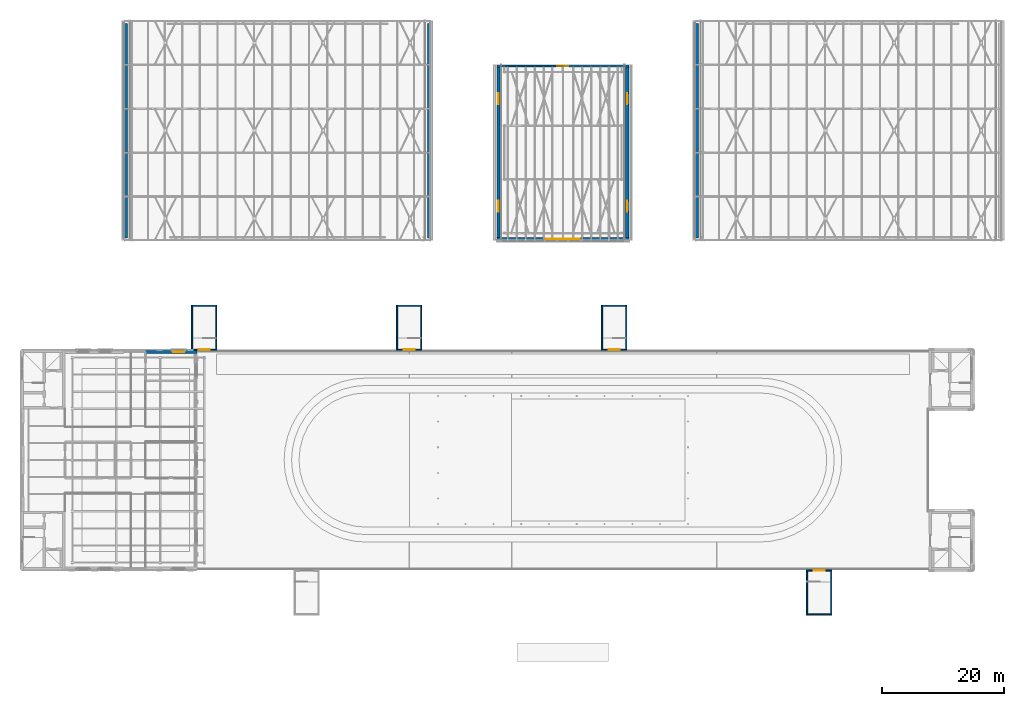
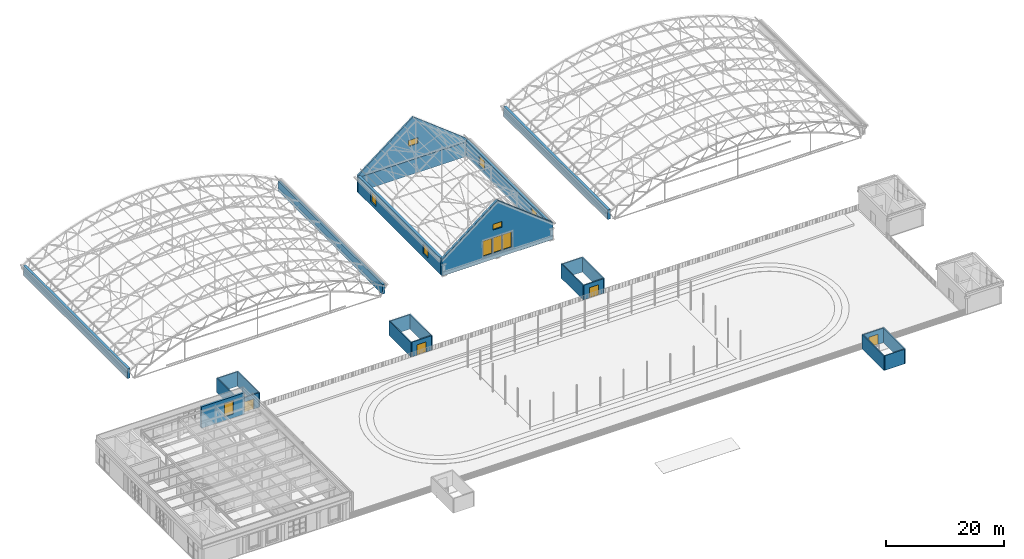
# One storey, part 73 of 127: 25 walls, 10 windows, 4 doors, 14 openings.
"""IFC4 building model written with IfcOpenShell, lengths in metres."""

from ifc_helpers import new_model, si_unit, direction, frame, frame_2d, origin, place, context, subcontext, project, spatial, polyline, rectangle, outline, extrude, material, layer, layer_set, type_object, element, fill, save


model = new_model("IFC4")

# Units and contexts
model_context = context("Model", 3, precision=1e-05, world=origin(), true_north=direction((0.0, 1.0)))
body_context = subcontext(model_context, "Body", "Model", "MODEL_VIEW")
ifc_project = project(units=[si_unit("LENGTHUNIT", "METRE"), si_unit("AREAUNIT", "SQUARE_METRE"), si_unit("VOLUMEUNIT", "CUBIC_METRE"), si_unit("PLANEANGLEUNIT", "RADIAN"), si_unit("MASSUNIT", "GRAM", prefix="KILO")], contexts=[model_context])

# Site, building, storey
site_placement = place(None, origin())
site = spatial("IfcSite", under=ifc_project, at=site_placement, CompositionType="ELEMENT")
building_placement = place(site_placement, origin())
building = spatial("IfcBuilding", under=site, at=building_placement, Name="Verrick Yard Athletic Hall", CompositionType="ELEMENT")
storey_placement = place(building_placement, frame((0.0, 0.0, 14.0)))
storey = spatial("IfcBuildingStorey", under=building, at=storey_placement, Name="L03", CompositionType="ELEMENT", Elevation=14.0)

# Wall, opening, window
ifc_material_1 = material(Name="Concrete 35 MPa", Category="concrete")
ifc_layer_1 = layer(ifc_material_1, 0.300048828125)
ifc_layer_set_1 = layer_set([ifc_layer_1], Name="Climbing hall gable wall")
wall_type_1 = type_object("IfcWallType", Name="Climbing hall gable wall", PredefinedType="SOLIDWALL", material=ifc_layer_set_1)
wall_1_placement = place(storey_placement, frame((88.0, 100.60009765625, 3.0), z_axis=(0.0, 0.0, 1.0), x_axis=(1.0, 0.0, 0.0)))
wall_1 = element("IfcWall", 1, at=wall_1_placement, inside=storey, type_object=wall_type_1, Name="ENVB-CL-N-L03", PredefinedType="SOLIDWALL", context=body_context, shape_type="SweptSolid", body=[
    extrude(outline(polyline([(0.0, 0.0), (21.60009765625, 0.0), (21.60009765625, 0.405029296875), (10.800048828125, 8.804931640625), (0.0, 0.405029296875), (0.0, 0.0)])), frame((0.0, 0.14990234375, 0.0), z_axis=(0.0, -1.0, 0.0), x_axis=(1.0, 0.0, 0.0)), (0.0, 0.0, 1.0), 0.300048828125),
])
opening_1_placement = place(wall_1_placement, frame((9.89990234375, 0.0, 3.0)))
opening_1 = element("IfcOpeningElement", 2, at=opening_1_placement, cuts=wall_1, Name="Opening W29", PredefinedType="OPENING", context=body_context, shape_type="SweptSolid", body=[
    extrude(rectangle(XDim=1.800048828125, YDim=1.199951171875, at=frame_2d((0.89990234375, 0.60009765625))), frame((0.0, 0.16015625, 0.0), z_axis=(0.0, -1.0, 0.0), x_axis=(1.0, 0.0, 0.0)), (0.0, 0.0, 1.0), 0.320068359375),
])
ifc_material_2 = material(Name="Anodised aluminium frame with insulated glazing", Category="aluminium")
window_type_1 = type_object("IfcWindowType", Name="Pediment window 1800x1200", PartitioningType="NOTDEFINED", PredefinedType="WINDOW", material=ifc_material_2)
window_1_placement = place(opening_1_placement, origin())
window_1 = element("IfcWindow", 3, at=window_1_placement, inside=storey, type_object=window_type_1, Name="ENVB-CL-N-L03-W1", OverallHeight=1.199951171875, OverallWidth=1.800048828125, PartitioningType="SINGLE_PANEL", PredefinedType="WINDOW", context=body_context, shape_type="SweptSolid", body=[
    extrude(rectangle(XDim=1.800048828125, YDim=1.199951171875, at=frame_2d((0.89990234375, 0.60009765625))), frame((0.0, 0.030029296875, 0.0), z_axis=(0.0, -1.0, 0.0), x_axis=(1.0, 0.0, 0.0)), (0.0, 0.0, 1.0), 0.06005859375),
])
fill(opening_1, window_1)

# Walls
ifc_layer_2 = layer(ifc_material_1, 0.199951171875)
ifc_layer_set_2 = layer_set([ifc_layer_2], Name="External enclosure wall CR200")
wall_type_2 = type_object("IfcWallType", Name="External enclosure wall CR200", PredefinedType="SOLIDWALL", material=ifc_layer_set_2)
for number, where, z_axis, x_axis, name in (
    (4, (38.0, 54.0, 0.0), (0.0, 0.0, 1.0), (0.0, 1.0, 0.0), "CORE-DT-N1-WW-L03"),
    (5, (42.0, 61.39990234375, 0.0), (0.0, 0.0, 1.0), (0.0, -1.0, 0.0), "CORE-DT-N1-WE-L03"),
):
    element("IfcWall", number, at=place(storey_placement, frame(where, z_axis=z_axis, x_axis=x_axis)), inside=storey, type_object=wall_type_2, Name=name, PredefinedType="SOLIDWALL", context=body_context, shape_type="SweptSolid", body=[
        extrude(rectangle(XDim=7.39990234375, YDim=0.199951171875, at=frame_2d((3.699951171875, 0.0))), origin(), (0.0, 0.0, 1.0), 3.0),
    ])

# Wall, opening, door
wall_2_placement = place(storey_placement, frame((38.10009765625, 54.10009765625, 0.0), z_axis=(0.0, 0.0, 1.0), x_axis=(1.0, 0.0, 0.0)))
wall_2 = element("IfcWall", 6, at=wall_2_placement, inside=storey, type_object=wall_type_2, Name="CORE-DT-N1-WS-L03", PredefinedType="SOLIDWALL", context=body_context, shape_type="SweptSolid", body=[
    extrude(rectangle(XDim=3.7998046875, YDim=0.199951171875, at=frame_2d((1.89990234375, 0.0))), origin(), (0.0, 0.0, 1.0), 3.0),
])
opening_2_placement = place(wall_2_placement, frame((1.0, 0.0, 0.0)))
opening_2 = element("IfcOpeningElement", 7, at=opening_2_placement, cuts=wall_2, Name="Opening XD2", PredefinedType="OPENING", context=body_context, shape_type="SweptSolid", body=[
    extrude(rectangle(XDim=1.800048828125, YDim=2.10009765625, at=frame_2d((0.89990234375, 1.050048828125))), frame((0.0, 0.10986328125, 0.0), z_axis=(0.0, -1.0, 0.0), x_axis=(1.0, 0.0, 0.0)), (0.0, 0.0, 1.0), 0.219970703125),
])
ifc_material_3 = material(Name="Aluminium door leaf", Category="aluminium")
door_type = type_object("IfcDoorType", Name="Core door XD2 1800x2100", OperationType="NOTDEFINED", PredefinedType="DOOR", material=ifc_material_3)
door_1_placement = place(opening_2_placement, origin())
door_1 = element("IfcDoor", 8, at=door_1_placement, inside=storey, type_object=door_type, Name="CORE-DT-N1-WS-L03-DXD2-4000", OperationType="DOUBLE_DOOR_SINGLE_SWING", OverallHeight=2.10009765625, OverallWidth=1.800048828125, PredefinedType="DOOR", context=body_context, shape_type="SweptSolid", body=[
    extrude(rectangle(XDim=1.800048828125, YDim=2.10009765625, at=frame_2d((0.89990234375, 1.050048828125))), frame((0.0, 0.02490234375, 0.0), z_axis=(0.0, -1.0, 0.0), x_axis=(1.0, 0.0, 0.0)), (0.0, 0.0, 1.0), 0.050048828125),
])
fill(opening_2, door_1)

# Walls
wall_3_placement = place(storey_placement, frame((38.10009765625, 61.300048828125, 0.0), z_axis=(0.0, 0.0, 1.0), x_axis=(1.0, 0.0, 0.0)))
element("IfcWall", 9, at=wall_3_placement, inside=storey, type_object=wall_type_2, Name="CORE-DT-N1-WN-L03", PredefinedType="SOLIDWALL", context=body_context, shape_type="SweptSolid", body=[
    extrude(rectangle(XDim=3.7998046875, YDim=0.199951171875, at=frame_2d((1.89990234375, 0.0))), origin(), (0.0, 0.0, 1.0), 3.0),
])
for number, where, z_axis, x_axis, name in (
    (10, (105.199951171875, 54.0, 0.0), (0.0, 0.0, 1.0), (0.0, 1.0, 0.0), "CORE-DT-N2-WW-L03"),
    (11, (109.199951171875, 61.39990234375, 0.0), (0.0, 0.0, 1.0), (0.0, -1.0, 0.0), "CORE-DT-N2-WE-L03"),
):
    element("IfcWall", number, at=place(storey_placement, frame(where, z_axis=z_axis, x_axis=x_axis)), inside=storey, type_object=wall_type_2, Name=name, PredefinedType="SOLIDWALL", context=body_context, shape_type="SweptSolid", body=[
        extrude(rectangle(XDim=7.39990234375, YDim=0.199951171875, at=frame_2d((3.699951171875, 0.0))), origin(), (0.0, 0.0, 1.0), 3.0),
    ])

# Wall, opening, door
wall_4_placement = place(storey_placement, frame((105.300048828125, 54.10009765625, 0.0), z_axis=(0.0, 0.0, 1.0), x_axis=(1.0, 0.0, 0.0)))
wall_4 = element("IfcWall", 12, at=wall_4_placement, inside=storey, type_object=wall_type_2, Name="CORE-DT-N2-WS-L03", PredefinedType="SOLIDWALL", context=body_context, shape_type="SweptSolid", body=[
    extrude(rectangle(XDim=3.800048828125, YDim=0.199951171875, at=frame_2d((1.89990234375, 0.0))), origin(), (0.0, 0.0, 1.0), 3.0),
])
opening_3_placement = place(wall_4_placement, frame((1.0, 0.0, 0.0)))
opening_3 = element("IfcOpeningElement", 13, at=opening_3_placement, cuts=wall_4, Name="Opening XD2", PredefinedType="OPENING", context=body_context, shape_type="SweptSolid", body=[
    extrude(rectangle(XDim=1.800048828125, YDim=2.10009765625, at=frame_2d((0.89990234375, 1.050048828125))), frame((0.0, 0.10986328125, 0.0), z_axis=(0.0, -1.0, 0.0), x_axis=(1.0, 0.0, 0.0)), (0.0, 0.0, 1.0), 0.219970703125),
])
door_2_placement = place(opening_3_placement, origin())
door_2 = element("IfcDoor", 14, at=door_2_placement, inside=storey, type_object=door_type, Name="CORE-DT-N2-WS-L03-DXD2-10720", OperationType="DOUBLE_DOOR_SINGLE_SWING", OverallHeight=2.10009765625, OverallWidth=1.800048828125, PredefinedType="DOOR", context=body_context, shape_type="SweptSolid", body=[
    extrude(rectangle(XDim=1.800048828125, YDim=2.10009765625, at=frame_2d((0.89990234375, 1.050048828125))), frame((0.0, 0.02490234375, 0.0), z_axis=(0.0, -1.0, 0.0), x_axis=(1.0, 0.0, 0.0)), (0.0, 0.0, 1.0), 0.050048828125),
])
fill(opening_3, door_2)

# Walls
wall_5_placement = place(storey_placement, frame((105.300048828125, 61.300048828125, 0.0), z_axis=(0.0, 0.0, 1.0), x_axis=(1.0, 0.0, 0.0)))
element("IfcWall", 15, at=wall_5_placement, inside=storey, type_object=wall_type_2, Name="CORE-DT-N2-WN-L03", PredefinedType="SOLIDWALL", context=body_context, shape_type="SweptSolid", body=[
    extrude(rectangle(XDim=3.800048828125, YDim=0.199951171875, at=frame_2d((1.89990234375, 0.0))), origin(), (0.0, 0.0, 1.0), 3.0),
])
for number, where, z_axis, x_axis, name in (
    (16, (71.60009765625, 54.0, 0.0), (0.0, 0.0, 1.0), (0.0, 1.0, 0.0), "CORE-DT-N3-WW-L03"),
    (17, (75.60009765625, 61.39990234375, 0.0), (0.0, 0.0, 1.0), (0.0, -1.0, 0.0), "CORE-DT-N3-WE-L03"),
):
    element("IfcWall", number, at=place(storey_placement, frame(where, z_axis=z_axis, x_axis=x_axis)), inside=storey, type_object=wall_type_2, Name=name, PredefinedType="SOLIDWALL", context=body_context, shape_type="SweptSolid", body=[
        extrude(rectangle(XDim=7.39990234375, YDim=0.199951171875, at=frame_2d((3.699951171875, 0.0))), origin(), (0.0, 0.0, 1.0), 3.0),
    ])

# Wall, opening, door
wall_6_placement = place(storey_placement, frame((71.699951171875, 54.10009765625, 0.0), z_axis=(0.0, 0.0, 1.0), x_axis=(1.0, 0.0, 0.0)))
wall_6 = element("IfcWall", 18, at=wall_6_placement, inside=storey, type_object=wall_type_2, Name="CORE-DT-N3-WS-L03", PredefinedType="SOLIDWALL", context=body_context, shape_type="SweptSolid", body=[
    extrude(rectangle(XDim=3.800048828125, YDim=0.199951171875, at=frame_2d((1.89990234375, 0.0))), origin(), (0.0, 0.0, 1.0), 3.0),
])
opening_4_placement = place(wall_6_placement, frame((1.0, 0.0, 0.0)))
opening_4 = element("IfcOpeningElement", 19, at=opening_4_placement, cuts=wall_6, Name="Opening XD2", PredefinedType="OPENING", context=body_context, shape_type="SweptSolid", body=[
    extrude(rectangle(XDim=1.800048828125, YDim=2.10009765625, at=frame_2d((0.89990234375, 1.050048828125))), frame((0.0, 0.10986328125, 0.0), z_axis=(0.0, -1.0, 0.0), x_axis=(1.0, 0.0, 0.0)), (0.0, 0.0, 1.0), 0.219970703125),
])
door_3_placement = place(opening_4_placement, origin())
door_3 = element("IfcDoor", 20, at=door_3_placement, inside=storey, type_object=door_type, Name="CORE-DT-N3-WS-L03-DXD2-7360", OperationType="DOUBLE_DOOR_SINGLE_SWING", OverallHeight=2.10009765625, OverallWidth=1.800048828125, PredefinedType="DOOR", context=body_context, shape_type="SweptSolid", body=[
    extrude(rectangle(XDim=1.800048828125, YDim=2.10009765625, at=frame_2d((0.89990234375, 1.050048828125))), frame((0.0, 0.02490234375, 0.0), z_axis=(0.0, -1.0, 0.0), x_axis=(1.0, 0.0, 0.0)), (0.0, 0.0, 1.0), 0.050048828125),
])
fill(opening_4, door_3)

# Walls
wall_7_placement = place(storey_placement, frame((71.699951171875, 61.300048828125, 0.0), z_axis=(0.0, 0.0, 1.0), x_axis=(1.0, 0.0, 0.0)))
element("IfcWall", 21, at=wall_7_placement, inside=storey, type_object=wall_type_2, Name="CORE-DT-N3-WN-L03", PredefinedType="SOLIDWALL", context=body_context, shape_type="SweptSolid", body=[
    extrude(rectangle(XDim=3.800048828125, YDim=0.199951171875, at=frame_2d((1.89990234375, 0.0))), origin(), (0.0, 0.0, 1.0), 3.0),
])
for number, where, z_axis, x_axis, name in (
    (22, (138.800048828125, 10.60009765625, 0.0), (0.0, 0.0, 1.0), (0.0, 1.0, 0.0), "CORE-DT-S2-WW-L03"),
    (23, (142.800048828125, 18.0, 0.0), (0.0, 0.0, 1.0), (0.0, -1.0, 0.0), "CORE-DT-S2-WE-L03"),
):
    element("IfcWall", number, at=place(storey_placement, frame(where, z_axis=z_axis, x_axis=x_axis)), inside=storey, type_object=wall_type_2, Name=name, PredefinedType="SOLIDWALL", context=body_context, shape_type="SweptSolid", body=[
        extrude(rectangle(XDim=7.39990234375, YDim=0.199951171875, at=frame_2d((3.699951171875, 0.0))), origin(), (0.0, 0.0, 1.0), 3.0),
    ])
wall_8_placement = place(storey_placement, frame((138.89990234375, 10.699951171875, 0.0), z_axis=(0.0, 0.0, 1.0), x_axis=(1.0, 0.0, 0.0)))
element("IfcWall", 24, at=wall_8_placement, inside=storey, type_object=wall_type_2, Name="CORE-DT-S2-WS-L03", PredefinedType="SOLIDWALL", context=body_context, shape_type="SweptSolid", body=[
    extrude(rectangle(XDim=3.800048828125, YDim=0.199951171875, at=frame_2d((1.89990234375, 0.0))), origin(), (0.0, 0.0, 1.0), 3.0),
])

# Wall, opening, door
wall_9_placement = place(storey_placement, frame((138.89990234375, 17.89990234375, 0.0), z_axis=(0.0, 0.0, 1.0), x_axis=(1.0, 0.0, 0.0)))
wall_9 = element("IfcWall", 25, at=wall_9_placement, inside=storey, type_object=wall_type_2, Name="CORE-DT-S2-WN-L03", PredefinedType="SOLIDWALL", context=body_context, shape_type="SweptSolid", body=[
    extrude(rectangle(XDim=3.800048828125, YDim=0.199951171875, at=frame_2d((1.89990234375, 0.0))), origin(), (0.0, 0.0, 1.0), 3.0),
])
opening_5_placement = place(wall_9_placement, frame((1.0, 0.0, 0.0)))
opening_5 = element("IfcOpeningElement", 26, at=opening_5_placement, cuts=wall_9, Name="Opening XD2", PredefinedType="OPENING", context=body_context, shape_type="SweptSolid", body=[
    extrude(rectangle(XDim=1.800048828125, YDim=2.10009765625, at=frame_2d((0.89990234375, 1.050048828125))), frame((0.0, 0.10986328125, 0.0), z_axis=(0.0, -1.0, 0.0), x_axis=(1.0, 0.0, 0.0)), (0.0, 0.0, 1.0), 0.219970703125),
])
door_4_placement = place(opening_5_placement, origin())
door_4 = element("IfcDoor", 27, at=door_4_placement, inside=storey, type_object=door_type, Name="CORE-DT-S2-WN-L03-DXD2-14080", OperationType="DOUBLE_DOOR_SINGLE_SWING", OverallHeight=2.10009765625, OverallWidth=1.800048828125, PredefinedType="DOOR", context=body_context, shape_type="SweptSolid", body=[
    extrude(rectangle(XDim=1.800048828125, YDim=2.10009765625, at=frame_2d((0.89990234375, 1.050048828125))), frame((0.0, 0.02490234375, 0.0), z_axis=(0.0, -1.0, 0.0), x_axis=(1.0, 0.0, 0.0)), (0.0, 0.0, 1.0), 0.050048828125),
])
fill(opening_5, door_4)

# Walls
ifc_layer_3 = layer(ifc_material_1, 0.300048828125)
ifc_layer_set_3 = layer_set([ifc_layer_3], Name="HB climbing wall 300")
wall_type_3 = type_object("IfcWallType", Name="HB climbing wall 300", PredefinedType="SOLIDWALL", material=ifc_layer_set_3)
wall_10_placement = place(storey_placement, frame((88.0, 100.60009765625, 0.0), z_axis=(0.0, 0.0, 1.0), x_axis=(1.0, 0.0, 0.0)))
element("IfcWall", 28, at=wall_10_placement, inside=storey, type_object=wall_type_3, Name="HB-CT-L03", PredefinedType="SOLIDWALL", context=body_context, shape_type="SweptSolid", body=[
    extrude(rectangle(XDim=21.60009765625, YDim=0.300048828125, at=frame_2d((10.800048828125, 0.0))), origin(), (0.0, 0.0, 1.0), 3.0),
])
ifc_material_4 = material(Name="Through-coloured mineral render, warm white")
ifc_layer_4 = layer(ifc_material_4, 0.125, Name="Through-coloured mineral render, warm white")
ifc_material_5 = material(Name="Mineral wool insulation")
ifc_layer_5 = layer(ifc_material_5, 0.125, Name="Mineral wool insulation")
ifc_layer_6 = layer(ifc_material_1, 0.25, Name="Concrete 35 MPa")
ifc_layer_set_4 = layer_set([ifc_layer_4, ifc_layer_5, ifc_layer_6], Name="Hall upper wall")
wall_type_4 = type_object("IfcWallType", Name="Hall upper wall", PredefinedType="SOLIDWALL", material=ifc_layer_set_4)
for number, where, z_axis, x_axis, name in (
    (29, (120.77490234375, 72.41845703125, 0.0), (0.0, 0.0, 1.0), (0.0, 1.0, 0.0), "ENVB-HA-W-L03"),
    (30, (27.175048828125, 72.41845703125, 0.0), (0.0, 0.0, 1.0), (0.0, 1.0, 0.0), "ENVB-HB-W-L03"),
    (31, (76.824951171875, 72.41845703125, 0.0), (0.0, 0.0, 1.0), (0.0, 1.0, 0.0), "ENVB-HB-E-L03"),
):
    element("IfcWall", number, at=place(storey_placement, frame(where, z_axis=z_axis, x_axis=x_axis)), inside=storey, type_object=wall_type_4, Name=name, PredefinedType="SOLIDWALL", context=body_context, shape_type="SweptSolid", body=[
        extrude(rectangle(XDim=35.1630859375, YDim=0.5, at=frame_2d((17.58154296875, 0.0))), origin(), (0.0, 0.0, 1.0), 2.0),
    ])

# Wall, openings, windows
ifc_material_6 = material(Name="Tyndall-stone-look precast cladding", Category="masonry")
ifc_layer_7 = layer(ifc_material_6, 0.125, Name="Tyndall-stone-look precast cladding")
ifc_layer_8 = layer(ifc_material_5, 0.125, Name="Mineral wool insulation")
ifc_layer_9 = layer(ifc_material_1, 0.25, Name="Concrete 35 MPa")
ifc_layer_set_5 = layer_set([ifc_layer_7, ifc_layer_8, ifc_layer_9], Name="Pavilion wall")
wall_type_5 = type_object("IfcWallType", Name="Pavilion wall", PredefinedType="SOLIDWALL", material=ifc_layer_set_5)
wall_11_placement = place(storey_placement, frame((88.25, 72.5, 0.0), z_axis=(0.0, 0.0, 1.0), x_axis=(0.0, 1.0, 0.0)))
wall_11 = element("IfcWall", 32, at=wall_11_placement, inside=storey, type_object=wall_type_5, Name="ENVB-CL-W-L03", PredefinedType="SOLIDWALL", context=body_context, shape_type="SweptSolid", body=[
    extrude(rectangle(XDim=27.949951171875, YDim=0.5, at=frame_2d((13.97509765625, 0.0))), origin(), (0.0, 0.0, 1.0), 3.405029296875),
])
opening_6_placement = place(wall_11_placement, frame((4.199951171875, 0.0, 0.800048828125)))
opening_6 = element("IfcOpeningElement", 33, at=opening_6_placement, cuts=wall_11, Name="Opening W28", PredefinedType="OPENING", context=body_context, shape_type="SweptSolid", body=[
    extrude(rectangle(XDim=1.800048828125, YDim=2.0, at=frame_2d((0.89990234375, 1.0))), frame((0.0, 0.260009765625, 0.0), z_axis=(0.0, -1.0, 0.0), x_axis=(1.0, 0.0, 0.0)), (0.0, 0.0, 1.0), 0.52001953125),
])
opening_7_placement = place(wall_11_placement, frame((21.800048828125, 0.0, 0.800048828125)))
opening_7 = element("IfcOpeningElement", 34, at=opening_7_placement, cuts=wall_11, Name="Opening W28", PredefinedType="OPENING", context=body_context, shape_type="SweptSolid", body=[
    extrude(rectangle(XDim=1.800048828125, YDim=2.0, at=frame_2d((0.89990234375, 1.0))), frame((0.0, 0.260009765625, 0.0), z_axis=(0.0, -1.0, 0.0), x_axis=(1.0, 0.0, 0.0)), (0.0, 0.0, 1.0), 0.52001953125),
])
window_type_2 = type_object("IfcWindowType", Name="Climbing hall clerestory window 1800x2000", PartitioningType="NOTDEFINED", PredefinedType="WINDOW", material=ifc_material_2)
window_2_placement = place(opening_6_placement, origin())
window_2 = element("IfcWindow", 35, at=window_2_placement, inside=storey, type_object=window_type_2, Name="ENVB-CL-W-L03-W1", OverallHeight=2.0, OverallWidth=1.800048828125, PartitioningType="SINGLE_PANEL", PredefinedType="WINDOW", context=body_context, shape_type="SweptSolid", body=[
    extrude(rectangle(XDim=1.800048828125, YDim=2.0, at=frame_2d((0.89990234375, 1.0))), frame((0.0, 0.030029296875, 0.0), z_axis=(0.0, -1.0, 0.0), x_axis=(1.0, 0.0, 0.0)), (0.0, 0.0, 1.0), 0.06005859375),
])
fill(opening_6, window_2)
window_3_placement = place(opening_7_placement, origin())
window_3 = element("IfcWindow", 36, at=window_3_placement, inside=storey, type_object=window_type_2, Name="ENVB-CL-W-L03-W3", OverallHeight=2.0, OverallWidth=1.800048828125, PartitioningType="SINGLE_PANEL", PredefinedType="WINDOW", context=body_context, shape_type="SweptSolid", body=[
    extrude(rectangle(XDim=1.800048828125, YDim=2.0, at=frame_2d((0.89990234375, 1.0))), frame((0.0, 0.030029296875, 0.0), z_axis=(0.0, -1.0, 0.0), x_axis=(1.0, 0.0, 0.0)), (0.0, 0.0, 1.0), 0.06005859375),
])
fill(opening_7, window_3)

wall_12_placement = place(storey_placement, frame((109.35009765625, 72.5, 0.0), z_axis=(0.0, 0.0, 1.0), x_axis=(0.0, 1.0, 0.0)))
wall_12 = element("IfcWall", 37, at=wall_12_placement, inside=storey, type_object=wall_type_5, Name="ENVB-CL-E-L03", PredefinedType="SOLIDWALL", context=body_context, shape_type="SweptSolid", body=[
    extrude(rectangle(XDim=27.949951171875, YDim=0.5, at=frame_2d((13.97509765625, 0.0))), origin(), (0.0, 0.0, 1.0), 3.405029296875),
])
opening_8_placement = place(wall_12_placement, frame((4.199951171875, 0.0, 0.800048828125)))
opening_8 = element("IfcOpeningElement", 38, at=opening_8_placement, cuts=wall_12, Name="Opening W28", PredefinedType="OPENING", context=body_context, shape_type="SweptSolid", body=[
    extrude(rectangle(XDim=1.800048828125, YDim=2.0, at=frame_2d((0.89990234375, 1.0))), frame((0.0, 0.260009765625, 0.0), z_axis=(0.0, -1.0, 0.0), x_axis=(1.0, 0.0, 0.0)), (0.0, 0.0, 1.0), 0.52001953125),
])
opening_9_placement = place(wall_12_placement, frame((21.800048828125, 0.0, 0.800048828125)))
opening_9 = element("IfcOpeningElement", 39, at=opening_9_placement, cuts=wall_12, Name="Opening W28", PredefinedType="OPENING", context=body_context, shape_type="SweptSolid", body=[
    extrude(rectangle(XDim=1.800048828125, YDim=2.0, at=frame_2d((0.89990234375, 1.0))), frame((0.0, 0.260009765625, 0.0), z_axis=(0.0, -1.0, 0.0), x_axis=(1.0, 0.0, 0.0)), (0.0, 0.0, 1.0), 0.52001953125),
])
window_4_placement = place(opening_8_placement, origin())
window_4 = element("IfcWindow", 40, at=window_4_placement, inside=storey, type_object=window_type_2, Name="ENVB-CL-E-L03-W1", OverallHeight=2.0, OverallWidth=1.800048828125, PartitioningType="SINGLE_PANEL", PredefinedType="WINDOW", context=body_context, shape_type="SweptSolid", body=[
    extrude(rectangle(XDim=1.800048828125, YDim=2.0, at=frame_2d((0.89990234375, 1.0))), frame((0.0, 0.030029296875, 0.0), z_axis=(0.0, -1.0, 0.0), x_axis=(1.0, 0.0, 0.0)), (0.0, 0.0, 1.0), 0.06005859375),
])
fill(opening_8, window_4)
window_5_placement = place(opening_9_placement, origin())
window_5 = element("IfcWindow", 41, at=window_5_placement, inside=storey, type_object=window_type_2, Name="ENVB-CL-E-L03-W3", OverallHeight=2.0, OverallWidth=1.800048828125, PartitioningType="SINGLE_PANEL", PredefinedType="WINDOW", context=body_context, shape_type="SweptSolid", body=[
    extrude(rectangle(XDim=1.800048828125, YDim=2.0, at=frame_2d((0.89990234375, 1.0))), frame((0.0, 0.030029296875, 0.0), z_axis=(0.0, -1.0, 0.0), x_axis=(1.0, 0.0, 0.0)), (0.0, 0.0, 1.0), 0.06005859375),
])
fill(opening_9, window_5)

wall_13_placement = place(storey_placement, frame((88.0, 72.25, 0.0), z_axis=(0.0, 0.0, 1.0), x_axis=(1.0, 0.0, 0.0)))
wall_13 = element("IfcWall", 42, at=wall_13_placement, inside=storey, type_object=wall_type_5, Name="ENVB-CL-S-L03", PredefinedType="SOLIDWALL", context=body_context, shape_type="SweptSolid", body=[
    extrude(outline(polyline([(0.0, 0.0), (21.60009765625, 0.0), (21.60009765625, 3.405029296875), (10.800048828125, 11.804931640625), (0.0, 3.405029296875), (0.0, 0.0)])), frame((0.0, 0.25, 0.0), z_axis=(0.0, -1.0, 0.0), x_axis=(1.0, 0.0, 0.0)), (0.0, 0.0, 1.0), 0.5),
])
opening_10_placement = place(wall_13_placement, frame((9.89990234375, 0.0, 6.0)))
opening_10 = element("IfcOpeningElement", 43, at=opening_10_placement, cuts=wall_13, Name="Opening W29", PredefinedType="OPENING", context=body_context, shape_type="SweptSolid", body=[
    extrude(rectangle(XDim=1.800048828125, YDim=1.199951171875, at=frame_2d((0.89990234375, 0.60009765625))), frame((0.0, 0.260009765625, 0.0), z_axis=(0.0, -1.0, 0.0), x_axis=(1.0, 0.0, 0.0)), (0.0, 0.0, 1.0), 0.52001953125),
])
opening_11_placement = place(wall_13_placement, frame((8.0, 0.0, 1.199951171875)))
opening_11 = element("IfcOpeningElement", 44, at=opening_11_placement, cuts=wall_13, Name="Opening W27", PredefinedType="OPENING", context=body_context, shape_type="SweptSolid", body=[
    extrude(rectangle(XDim=1.800048828125, YDim=3.199951171875, at=frame_2d((0.89990234375, 1.60009765625))), frame((0.0, 0.260009765625, 0.0), z_axis=(0.0, -1.0, 0.0), x_axis=(1.0, 0.0, 0.0)), (0.0, 0.0, 1.0), 0.52001953125),
])
opening_12_placement = place(wall_13_placement, frame((9.89990234375, 0.0, 1.199951171875)))
opening_12 = element("IfcOpeningElement", 45, at=opening_12_placement, cuts=wall_13, Name="Opening W27", PredefinedType="OPENING", context=body_context, shape_type="SweptSolid", body=[
    extrude(rectangle(XDim=1.800048828125, YDim=3.199951171875, at=frame_2d((0.89990234375, 1.60009765625))), frame((0.0, 0.260009765625, 0.0), z_axis=(0.0, -1.0, 0.0), x_axis=(1.0, 0.0, 0.0)), (0.0, 0.0, 1.0), 0.52001953125),
])
opening_13_placement = place(wall_13_placement, frame((11.800048828125, 0.0, 1.199951171875)))
opening_13 = element("IfcOpeningElement", 46, at=opening_13_placement, cuts=wall_13, Name="Opening W27", PredefinedType="OPENING", context=body_context, shape_type="SweptSolid", body=[
    extrude(rectangle(XDim=1.800048828125, YDim=3.199951171875, at=frame_2d((0.89990234375, 1.60009765625))), frame((0.0, 0.260009765625, 0.0), z_axis=(0.0, -1.0, 0.0), x_axis=(1.0, 0.0, 0.0)), (0.0, 0.0, 1.0), 0.52001953125),
])
window_type_3 = type_object("IfcWindowType", Name="Climbing hall window 1800x3200", PartitioningType="NOTDEFINED", PredefinedType="WINDOW", material=ifc_material_2)
window_6_placement = place(opening_11_placement, origin())
window_6 = element("IfcWindow", 47, at=window_6_placement, inside=storey, type_object=window_type_3, Name="ENVB-CL-S-L03-W2", OverallHeight=3.199951171875, OverallWidth=1.800048828125, PartitioningType="SINGLE_PANEL", PredefinedType="WINDOW", context=body_context, shape_type="SweptSolid", body=[
    extrude(rectangle(XDim=1.800048828125, YDim=3.199951171875, at=frame_2d((0.89990234375, 1.60009765625))), frame((0.0, 0.030029296875, 0.0), z_axis=(0.0, -1.0, 0.0), x_axis=(1.0, 0.0, 0.0)), (0.0, 0.0, 1.0), 0.06005859375),
])
fill(opening_11, window_6)
window_7_placement = place(opening_12_placement, origin())
window_7 = element("IfcWindow", 48, at=window_7_placement, inside=storey, type_object=window_type_3, Name="ENVB-CL-S-L03-W3", OverallHeight=3.199951171875, OverallWidth=1.800048828125, PartitioningType="SINGLE_PANEL", PredefinedType="WINDOW", context=body_context, shape_type="SweptSolid", body=[
    extrude(rectangle(XDim=1.800048828125, YDim=3.199951171875, at=frame_2d((0.89990234375, 1.60009765625))), frame((0.0, 0.030029296875, 0.0), z_axis=(0.0, -1.0, 0.0), x_axis=(1.0, 0.0, 0.0)), (0.0, 0.0, 1.0), 0.06005859375),
])
fill(opening_12, window_7)
window_8_placement = place(opening_13_placement, origin())
window_8 = element("IfcWindow", 49, at=window_8_placement, inside=storey, type_object=window_type_3, Name="ENVB-CL-S-L03-W4", OverallHeight=3.199951171875, OverallWidth=1.800048828125, PartitioningType="SINGLE_PANEL", PredefinedType="WINDOW", context=body_context, shape_type="SweptSolid", body=[
    extrude(rectangle(XDim=1.800048828125, YDim=3.199951171875, at=frame_2d((0.89990234375, 1.60009765625))), frame((0.0, 0.030029296875, 0.0), z_axis=(0.0, -1.0, 0.0), x_axis=(1.0, 0.0, 0.0)), (0.0, 0.0, 1.0), 0.06005859375),
])
fill(opening_13, window_8)
window_9_placement = place(opening_10_placement, origin())
window_9 = element("IfcWindow", 50, at=window_9_placement, inside=storey, type_object=window_type_1, Name="ENVB-CL-S-L03-W1", OverallHeight=1.199951171875, OverallWidth=1.800048828125, PartitioningType="SINGLE_PANEL", PredefinedType="WINDOW", context=body_context, shape_type="SweptSolid", body=[
    extrude(rectangle(XDim=1.800048828125, YDim=1.199951171875, at=frame_2d((0.89990234375, 0.60009765625))), frame((0.0, 0.030029296875, 0.0), z_axis=(0.0, -1.0, 0.0), x_axis=(1.0, 0.0, 0.0)), (0.0, 0.0, 1.0), 0.06005859375),
])
fill(opening_10, window_9)

# Wall, opening, window
ifc_material_7 = material(Name="Clay face brick, red-brown", Category="masonry")
ifc_layer_10 = layer(ifc_material_7, 0.0625, Name="Clay face brick, red-brown")
ifc_layer_11 = layer(ifc_material_5, 0.125, Name="Mineral wool insulation")
ifc_layer_12 = layer(ifc_material_1, 0.25, Name="Concrete 35 MPa")
ifc_layer_set_6 = layer_set([ifc_layer_10, ifc_layer_11, ifc_layer_12], Name="Wing upper wall")
wall_type_6 = type_object("IfcWallType", Name="Wing upper wall", PredefinedType="SOLIDWALL", material=ifc_layer_set_6)
wall_14_placement = place(storey_placement, frame((30.39990234375, 53.71875, 0.0), z_axis=(0.0, 0.0, 1.0), x_axis=(1.0, 0.0, 0.0)))
wall_14 = element("IfcWall", 51, at=wall_14_placement, inside=storey, type_object=wall_type_6, Name="ENVB-WN-L03-2", PredefinedType="SOLIDWALL", context=body_context, shape_type="SweptSolid", body=[
    extrude(rectangle(XDim=8.400146484375, YDim=0.4375, at=frame_2d((4.2001953125, 0.0))), origin(), (0.0, 0.0, 1.0), 4.39990234375),
])
opening_14_placement = place(wall_14_placement, frame((4.5, 0.0, 0.75)))
opening_14 = element("IfcOpeningElement", 52, at=opening_14_placement, cuts=wall_14, Name="Opening W22", PredefinedType="OPENING", context=body_context, shape_type="SweptSolid", body=[
    extrude(rectangle(XDim=1.800048828125, YDim=2.800048828125, at=frame_2d((0.89990234375, 1.39990234375))), frame((0.0, 0.228759765625, 0.0), z_axis=(0.0, -1.0, 0.0), x_axis=(1.0, 0.0, 0.0)), (0.0, 0.0, 1.0), 0.45751953125),
])
window_type_4 = type_object("IfcWindowType", Name="Wing window 1800x2800", PartitioningType="NOTDEFINED", PredefinedType="WINDOW", material=ifc_material_2)
window_10_placement = place(opening_14_placement, origin())
window_10 = element("IfcWindow", 53, at=window_10_placement, inside=storey, type_object=window_type_4, Name="ENVB-WN-L03-2-W358", OverallHeight=2.800048828125, OverallWidth=1.800048828125, PartitioningType="SINGLE_PANEL", PredefinedType="WINDOW", context=body_context, shape_type="SweptSolid", body=[
    extrude(rectangle(XDim=1.800048828125, YDim=2.800048828125, at=frame_2d((0.89990234375, 1.39990234375))), frame((0.0, 0.030029296875, 0.0), z_axis=(0.0, -1.0, 0.0), x_axis=(1.0, 0.0, 0.0)), (0.0, 0.0, 1.0), 0.06005859375),
])
fill(opening_14, window_10)

save(model, "model.ifc")
